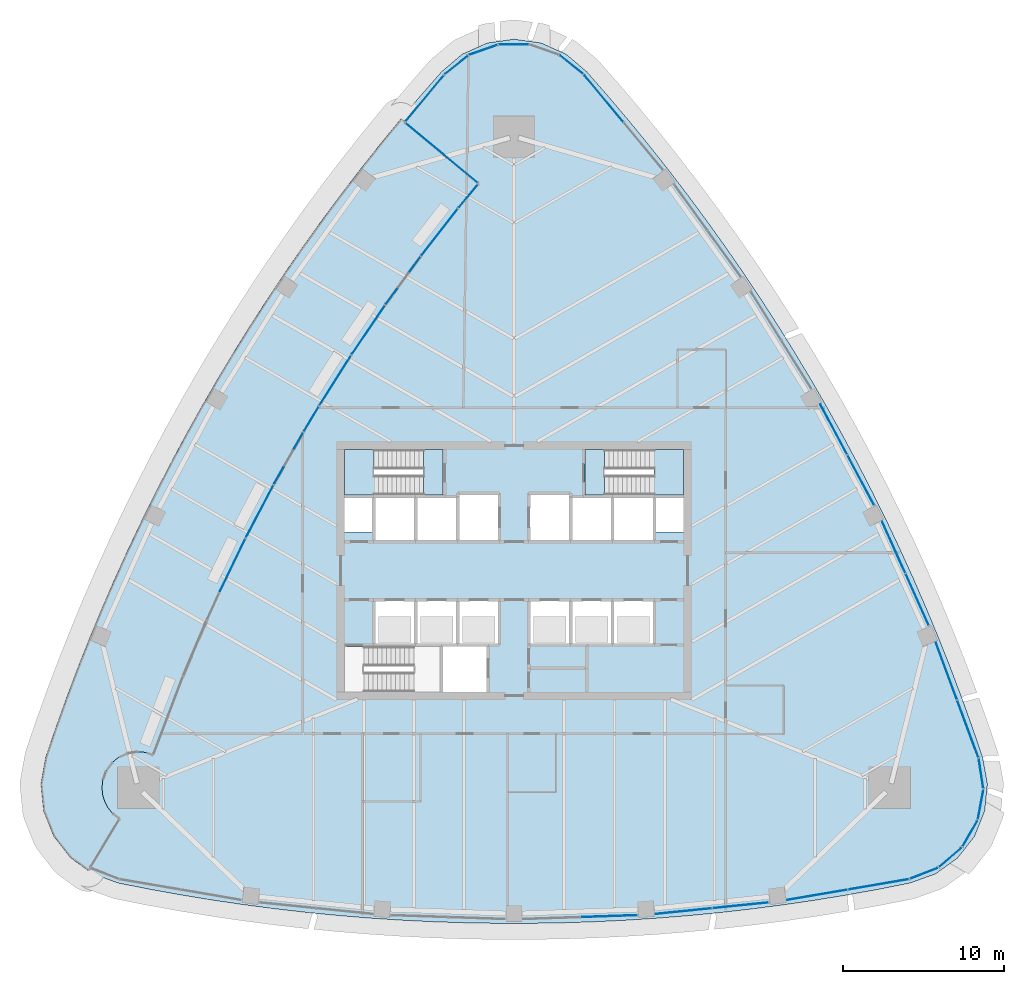
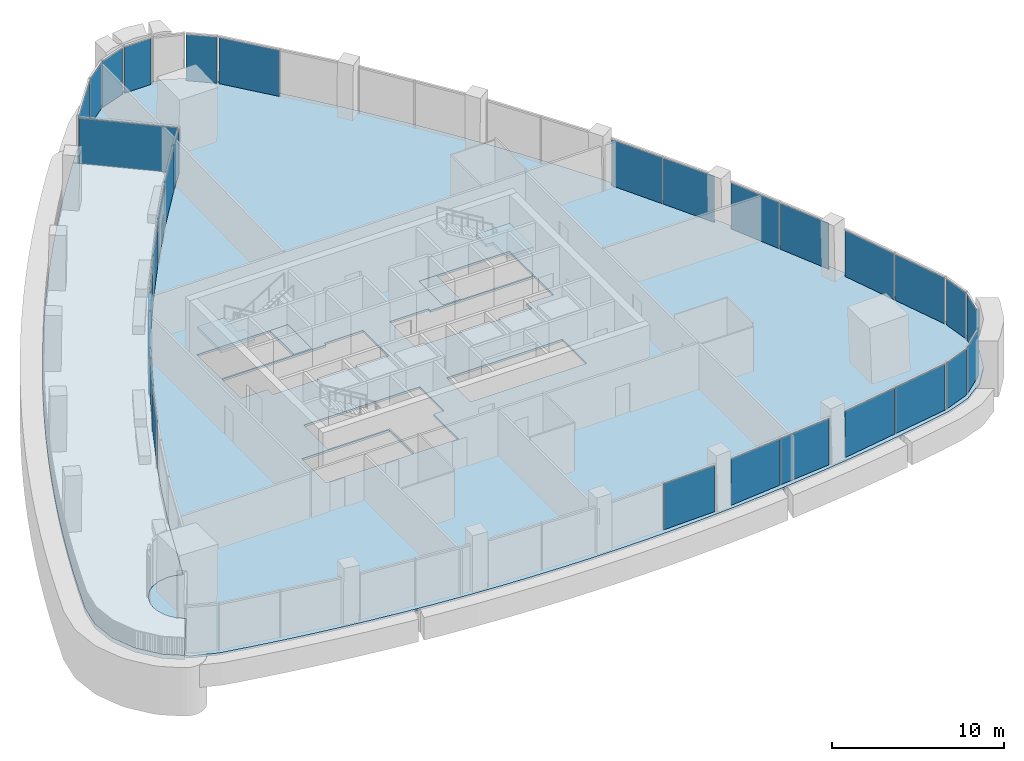
# One storey, part 8 of 18: 32 plates, 6 slabs, 29 elements without a shape of their own.
"""IFC4 building model written with IfcOpenShell, lengths in metres."""

from ifc_helpers import new_model, si_unit, direction, frame, origin, origin_2d, place, context, subcontext, project, spatial, polyline, rectangle, outline, extrude, material, layer, layer_set, type_object, element, aggregate, save


model = new_model("IFC4")

# Units and contexts
model_context = context("Model", 3, precision=1e-05, world=origin(), true_north=direction((0.0, 1.0)))
body_context = subcontext(model_context, "Body", "Model", "MODEL_VIEW")
ifc_project = project(units=[si_unit("LENGTHUNIT", "METRE"), si_unit("AREAUNIT", "SQUARE_METRE"), si_unit("VOLUMEUNIT", "CUBIC_METRE"), si_unit("PLANEANGLEUNIT", "RADIAN"), si_unit("MASSUNIT", "GRAM", prefix="KILO")], contexts=[model_context])

# Site, building, storey
site_placement = place(None, origin())
site = spatial("IfcSite", under=ifc_project, at=site_placement, CompositionType="ELEMENT")
building_placement = place(site_placement, origin())
building = spatial("IfcBuilding", under=site, at=building_placement, Name="Sierra Prisma Convention Tower", CompositionType="ELEMENT")
storey_placement = place(building_placement, frame((0.0, 0.0, 189.800048828125)))
storey = spatial("IfcBuildingStorey", under=building, at=storey_placement, Name="L42", CompositionType="ELEMENT", Elevation=189.800048828125)

# Curtain wall, plate
ifc_material_1 = material(Name="Aluminium and glass curtain wall", Category="aluminium")
ifc_layer_1 = layer(ifc_material_1, 0.179931640625)
ifc_layer_set_1 = layer_set([ifc_layer_1], Name="CW-1 Plain shaft curtain wall")
curtain_wall_type_1 = type_object("IfcCurtainWallType", Name="CW-1 Plain shaft curtain wall", PredefinedType="NOTDEFINED", material=ifc_layer_set_1)
curtain_wall_1_placement = place(storey_placement, origin())
curtain_wall_1 = element("IfcCurtainWall", 1, at=curtain_wall_1_placement, inside=storey, type_object=curtain_wall_type_1, Name="CW-1 S4 L42", PredefinedType="NOTDEFINED")
ifc_material_2 = material(Name="Tinted glass bronze-grey IGU", Category="glass")
ifc_layer_2 = layer(ifc_material_2, 0.028076171875)
ifc_layer_set_2 = layer_set([ifc_layer_2], Name="CW-1 glass panel")
plate_type_1 = type_object("IfcPlateType", Name="CW-1 glass panel", PredefinedType="CURTAIN_PANEL", material=ifc_layer_set_2)
plate_1_placement = place(storey_placement, frame((5.876953125, -21.4052734375, 0.0), z_axis=(0.0, 0.0, 1.0), x_axis=(0.999427178076, 0.033842513539, 0.0)))
plate_1 = element("IfcPlate", 2, at=plate_1_placement, type_object=plate_type_1, Name="CW-1 panel S4.2", PredefinedType="CURTAIN_PANEL", context=body_context, shape_type="SweptSolid", body=[
    extrude(rectangle(XDim=3.49365234375, YDim=0.028076171875, at=origin_2d()), origin(), (0.0, 0.0, 1.0), 3.280029296875),
])
aggregate(curtain_wall_1, [plate_1])

# Curtain wall, plates
curtain_wall_2_placement = place(storey_placement, origin())
curtain_wall_2 = element("IfcCurtainWall", 3, at=curtain_wall_2_placement, inside=storey, type_object=curtain_wall_type_1, Name="CW-1 S5 L42", PredefinedType="NOTDEFINED")
plate_2_placement = place(storey_placement, frame((10.501708984375, -21.09228515625, 0.0), z_axis=(0.0, 0.0, 1.0), x_axis=(0.994848539433, 0.101372499166, 0.0)))
plate_2 = element("IfcPlate", 4, at=plate_2_placement, type_object=plate_type_1, Name="CW-1 panel S5.1", PredefinedType="CURTAIN_PANEL", context=body_context, shape_type="SweptSolid", body=[
    extrude(rectangle(XDim=3.4775390625, YDim=0.028076171875, at=origin_2d()), origin(), (0.0, 0.0, 1.0), 3.280029296875),
])
plate_3_placement = place(storey_placement, frame((14.031005859375, -20.732666015625, 0.0), z_axis=(0.0, 0.0, 1.0), x_axis=(0.994848539433, 0.101372499166, 0.0)))
plate_3 = element("IfcPlate", 5, at=plate_3_placement, type_object=plate_type_1, Name="CW-1 panel S5.2", PredefinedType="CURTAIN_PANEL", context=body_context, shape_type="SweptSolid", body=[
    extrude(rectangle(XDim=3.4775390625, YDim=0.028076171875, at=origin_2d()), origin(), (0.0, 0.0, 1.0), 3.280029296875),
])
aggregate(curtain_wall_2, [plate_2, plate_3])

curtain_wall_3_placement = place(storey_placement, origin())
curtain_wall_3 = element("IfcCurtainWall", 6, at=curtain_wall_3_placement, inside=storey, type_object=curtain_wall_type_1, Name="CW-1 S6 L42", PredefinedType="NOTDEFINED")
plate_4_placement = place(storey_placement, frame((18.7822265625, -20.08251953125, 0.0), z_axis=(0.0, 0.0, 1.0), x_axis=(0.985712238098, 0.168438070707, 0.0)))
plate_4 = element("IfcPlate", 7, at=plate_4_placement, type_object=plate_type_1, Name="CW-1 panel S6.1", PredefinedType="CURTAIN_PANEL", context=body_context, shape_type="SweptSolid", body=[
    extrude(rectangle(XDim=3.749755859375, YDim=0.028076171875, at=origin_2d()), origin(), (0.0, 0.0, 1.0), 3.280029296875),
])
plate_5_placement = place(storey_placement, frame((22.54736328125, -19.43896484375, 0.0), z_axis=(0.0, 0.0, 1.0), x_axis=(0.985712238098, 0.168438070707, 0.0)))
plate_5 = element("IfcPlate", 8, at=plate_5_placement, type_object=plate_type_1, Name="CW-1 panel S6.2", PredefinedType="CURTAIN_PANEL", context=body_context, shape_type="SweptSolid", body=[
    extrude(rectangle(XDim=3.749755859375, YDim=0.028076171875, at=origin_2d()), origin(), (0.0, 0.0, 1.0), 3.280029296875),
])
aggregate(curtain_wall_3, [plate_4, plate_5])

# Curtain wall, plate
curtain_wall_4_placement = place(storey_placement, origin())
curtain_wall_4 = element("IfcCurtainWall", 9, at=curtain_wall_4_placement, inside=storey, type_object=curtain_wall_type_1, Name="CW-1 SE1 L42", PredefinedType="NOTDEFINED")
plate_6_placement = place(storey_placement, frame((25.368896484375, -18.758544921875, 0.0), z_axis=(0.0, 0.0, 1.0), x_axis=(0.931633288496, 0.363399801549, 0.0)))
plate_6 = element("IfcPlate", 10, at=plate_6_placement, type_object=plate_type_1, Name="CW-1 panel SE1.1", PredefinedType="CURTAIN_PANEL", context=body_context, shape_type="SweptSolid", body=[
    extrude(rectangle(XDim=1.8017578125, YDim=0.028076171875, at=origin_2d()), origin(), (0.0, 0.0, 1.0), 3.280029296875),
])
aggregate(curtain_wall_4, [plate_6])

curtain_wall_5_placement = place(storey_placement, origin())
curtain_wall_5 = element("IfcCurtainWall", 11, at=curtain_wall_5_placement, inside=storey, type_object=curtain_wall_type_1, Name="CW-1 SE2 L42", PredefinedType="NOTDEFINED")
plate_7_placement = place(storey_placement, frame((27.010009765625, -17.773193359375, 0.0), z_axis=(0.0, 0.0, 1.0), x_axis=(0.75865116634, 0.651497051268, 0.0)))
plate_7 = element("IfcPlate", 12, at=plate_7_placement, type_object=plate_type_1, Name="CW-1 panel SE2.1", PredefinedType="CURTAIN_PANEL", context=body_context, shape_type="SweptSolid", body=[
    extrude(rectangle(XDim=1.8017578125, YDim=0.028076171875, at=origin_2d()), origin(), (0.0, 0.0, 1.0), 3.280029296875),
])
aggregate(curtain_wall_5, [plate_7])

curtain_wall_6_placement = place(storey_placement, origin())
curtain_wall_6 = element("IfcCurtainWall", 13, at=curtain_wall_6_placement, inside=storey, type_object=curtain_wall_type_1, Name="CW-1 SE3 L42", PredefinedType="NOTDEFINED")
plate_8_placement = place(storey_placement, frame((28.232177734375, -16.2998046875, 0.0), z_axis=(0.0, 0.0, 1.0), x_axis=(0.5, 0.866025403784, 0.0)))
plate_8 = element("IfcPlate", 14, at=plate_8_placement, type_object=plate_type_1, Name="CW-1 panel SE3.1", PredefinedType="CURTAIN_PANEL", context=body_context, shape_type="SweptSolid", body=[
    extrude(rectangle(XDim=1.8017578125, YDim=0.028076171875, at=origin_2d()), origin(), (0.0, 0.0, 1.0), 3.280029296875),
])
aggregate(curtain_wall_6, [plate_8])

curtain_wall_7_placement = place(storey_placement, origin())
curtain_wall_7 = element("IfcCurtainWall", 15, at=curtain_wall_7_placement, inside=storey, type_object=curtain_wall_type_1, Name="CW-1 SE4 L42", PredefinedType="NOTDEFINED")
plate_9_placement = place(storey_placement, frame((28.897216796875, -14.5048828125, 0.0), z_axis=(0.0, 0.0, 1.0), x_axis=(0.184887413719, 0.982759708295, 0.0)))
plate_9 = element("IfcPlate", 16, at=plate_9_placement, type_object=plate_type_1, Name="CW-1 panel SE4.1", PredefinedType="CURTAIN_PANEL", context=body_context, shape_type="SweptSolid", body=[
    extrude(rectangle(XDim=1.8017578125, YDim=0.028076171875, at=origin_2d()), origin(), (0.0, 0.0, 1.0), 3.280029296875),
])
aggregate(curtain_wall_7, [plate_9])

curtain_wall_8_placement = place(storey_placement, origin())
curtain_wall_8 = element("IfcCurtainWall", 17, at=curtain_wall_8_placement, inside=storey, type_object=curtain_wall_type_1, Name="CW-1 SE5 L42", PredefinedType="NOTDEFINED")
plate_10_placement = place(storey_placement, frame((28.929931640625, -12.5908203125, 0.0), z_axis=(0.0, 0.0, 1.0), x_axis=(-0.151103184377, 0.988517995623, 0.0)))
plate_10 = element("IfcPlate", 18, at=plate_10_placement, type_object=plate_type_1, Name="CW-1 panel SE5.1", PredefinedType="CURTAIN_PANEL", context=body_context, shape_type="SweptSolid", body=[
    extrude(rectangle(XDim=1.8017578125, YDim=0.028076171875, at=origin_2d()), origin(), (0.0, 0.0, 1.0), 3.280029296875),
])
aggregate(curtain_wall_8, [plate_10])

# Curtain wall, plates
curtain_wall_9_placement = place(storey_placement, origin())
curtain_wall_9 = element("IfcCurtainWall", 19, at=curtain_wall_9_placement, inside=storey, type_object=curtain_wall_type_1, Name="CW-1 NE1 L42", PredefinedType="NOTDEFINED")
plate_11_placement = place(storey_placement, frame((28.1083984375, -9.80712890625, 0.0), z_axis=(0.0, 0.0, 1.0), x_axis=(-0.346984470852, 0.937870874368, 0.0)))
plate_11 = element("IfcPlate", 20, at=plate_11_placement, type_object=plate_type_1, Name="CW-1 panel NE1.1", PredefinedType="CURTAIN_PANEL", context=body_context, shape_type="SweptSolid", body=[
    extrude(rectangle(XDim=3.749755859375, YDim=0.028076171875, at=origin_2d()), origin(), (0.0, 0.0, 1.0), 3.280029296875),
])
plate_12_placement = place(storey_placement, frame((26.782958984375, -6.224609375, 0.0), z_axis=(0.0, 0.0, 1.0), x_axis=(-0.346984470852, 0.937870874368, 0.0)))
plate_12 = element("IfcPlate", 21, at=plate_12_placement, type_object=plate_type_1, Name="CW-1 panel NE1.2", PredefinedType="CURTAIN_PANEL", context=body_context, shape_type="SweptSolid", body=[
    extrude(rectangle(XDim=3.749755859375, YDim=0.028076171875, at=origin_2d()), origin(), (0.0, 0.0, 1.0), 3.280029296875),
])
aggregate(curtain_wall_9, [plate_11, plate_12])

curtain_wall_10_placement = place(storey_placement, origin())
curtain_wall_10 = element("IfcCurtainWall", 22, at=curtain_wall_10_placement, inside=storey, type_object=curtain_wall_type_1, Name="CW-1 NE2 L42", PredefinedType="NOTDEFINED")
plate_13_placement = place(storey_placement, frame((24.970703125, -1.784912109375, 0.0), z_axis=(0.0, 0.0, 1.0), x_axis=(-0.409633110194, 0.91225035765, 0.0)))
plate_13 = element("IfcPlate", 23, at=plate_13_placement, type_object=plate_type_1, Name="CW-1 panel NE2.1", PredefinedType="CURTAIN_PANEL", context=body_context, shape_type="SweptSolid", body=[
    extrude(rectangle(XDim=3.4775390625, YDim=0.028076171875, at=origin_2d()), origin(), (0.0, 0.0, 1.0), 3.280029296875),
])
plate_14_placement = place(storey_placement, frame((23.517333984375, 1.451416015625, 0.0), z_axis=(0.0, 0.0, 1.0), x_axis=(-0.409633110194, 0.91225035765, 0.0)))
plate_14 = element("IfcPlate", 24, at=plate_14_placement, type_object=plate_type_1, Name="CW-1 panel NE2.2", PredefinedType="CURTAIN_PANEL", context=body_context, shape_type="SweptSolid", body=[
    extrude(rectangle(XDim=3.4775390625, YDim=0.028076171875, at=origin_2d()), origin(), (0.0, 0.0, 1.0), 3.280029296875),
])
aggregate(curtain_wall_10, [plate_13, plate_14])

curtain_wall_11_placement = place(storey_placement, origin())
curtain_wall_11 = element("IfcCurtainWall", 25, at=curtain_wall_11_placement, inside=storey, type_object=curtain_wall_type_1, Name="CW-1 NE3 L42", PredefinedType="NOTDEFINED")
plate_15_placement = place(storey_placement, frame((21.47607421875, 5.613037109375, 0.0), z_axis=(0.0, 0.0, 1.0), x_axis=(-0.470405112585, 0.882450582216, 0.0)))
plate_15 = element("IfcPlate", 26, at=plate_15_placement, type_object=plate_type_1, Name="CW-1 panel NE3.1", PredefinedType="CURTAIN_PANEL", context=body_context, shape_type="SweptSolid", body=[
    extrude(rectangle(XDim=3.49365234375, YDim=0.028076171875, at=origin_2d()), origin(), (0.0, 0.0, 1.0), 3.280029296875),
])
plate_16_placement = place(storey_placement, frame((19.7998046875, 8.757568359375, 0.0), z_axis=(0.0, 0.0, 1.0), x_axis=(-0.470405112585, 0.882450582216, 0.0)))
plate_16 = element("IfcPlate", 27, at=plate_16_placement, type_object=plate_type_1, Name="CW-1 panel NE3.2", PredefinedType="CURTAIN_PANEL", context=body_context, shape_type="SweptSolid", body=[
    extrude(rectangle(XDim=3.49365234375, YDim=0.028076171875, at=origin_2d()), origin(), (0.0, 0.0, 1.0), 3.280029296875),
])
aggregate(curtain_wall_11, [plate_15, plate_16])

# Curtain wall, plate
curtain_wall_12_placement = place(storey_placement, origin())
curtain_wall_12 = element("IfcCurtainWall", 28, at=curtain_wall_12_placement, inside=storey, type_object=curtain_wall_type_1, Name="CW-1 NE6 L42", PredefinedType="NOTDEFINED")
plate_17_placement = place(storey_placement, frame((5.56103515625, 29.24609375, 0.0), z_axis=(0.0, 0.0, 1.0), x_axis=(-0.638727767246, 0.769432803661, 0.0)))
plate_17 = element("IfcPlate", 29, at=plate_17_placement, type_object=plate_type_1, Name="CW-1 panel NE6.2", PredefinedType="CURTAIN_PANEL", context=body_context, shape_type="SweptSolid", body=[
    extrude(rectangle(XDim=3.749755859375, YDim=0.028076171875, at=origin_2d()), origin(), (0.0, 0.0, 1.0), 3.280029296875),
])
aggregate(curtain_wall_12, [plate_17])

curtain_wall_13_placement = place(storey_placement, origin())
curtain_wall_13 = element("IfcCurtainWall", 30, at=curtain_wall_13_placement, inside=storey, type_object=curtain_wall_type_1, Name="CW-1 N1 L42", PredefinedType="NOTDEFINED")
plate_18_placement = place(storey_placement, frame((3.56103515625, 31.349365234375, 0.0), z_axis=(0.0, 0.0, 1.0), x_axis=(-0.780530104119, 0.625118194075, 0.0)))
plate_18 = element("IfcPlate", 31, at=plate_18_placement, type_object=plate_type_1, Name="CW-1 panel N1.1", PredefinedType="CURTAIN_PANEL", context=body_context, shape_type="SweptSolid", body=[
    extrude(rectangle(XDim=1.8017578125, YDim=0.028076171875, at=origin_2d()), origin(), (0.0, 0.0, 1.0), 3.280029296875),
])
aggregate(curtain_wall_13, [plate_18])

curtain_wall_14_placement = place(storey_placement, origin())
curtain_wall_14 = element("IfcCurtainWall", 32, at=curtain_wall_14_placement, inside=storey, type_object=curtain_wall_type_1, Name="CW-1 N3 L42", PredefinedType="NOTDEFINED")
plate_19_placement = place(storey_placement, frame((0.0, 32.599609375, 0.0), z_axis=(0.0, 0.0, 1.0), x_axis=(-1.0, 0.0, 0.0)))
plate_19 = element("IfcPlate", 33, at=plate_19_placement, type_object=plate_type_1, Name="CW-1 panel N3.1", PredefinedType="CURTAIN_PANEL", context=body_context, shape_type="SweptSolid", body=[
    extrude(rectangle(XDim=1.8017578125, YDim=0.028076171875, at=origin_2d()), origin(), (0.0, 0.0, 1.0), 3.280029296875),
])
aggregate(curtain_wall_14, [plate_19])

curtain_wall_15_placement = place(storey_placement, origin())
curtain_wall_15 = element("IfcCurtainWall", 34, at=curtain_wall_15_placement, inside=storey, type_object=curtain_wall_type_1, Name="CW-1 N4 L42", PredefinedType="NOTDEFINED")
plate_20_placement = place(storey_placement, frame((-1.886962890625, 32.278076171875, 0.0), z_axis=(0.0, 0.0, 1.0), x_axis=(-0.943538580059, -0.331262657027, 0.0)))
plate_20 = element("IfcPlate", 35, at=plate_20_placement, type_object=plate_type_1, Name="CW-1 panel N4.1", PredefinedType="CURTAIN_PANEL", context=body_context, shape_type="SweptSolid", body=[
    extrude(rectangle(XDim=1.8017578125, YDim=0.028076171875, at=origin_2d()), origin(), (0.0, 0.0, 1.0), 3.280029296875),
])
aggregate(curtain_wall_15, [plate_20])

curtain_wall_16_placement = place(storey_placement, origin())
curtain_wall_16 = element("IfcCurtainWall", 36, at=curtain_wall_16_placement, inside=storey, type_object=curtain_wall_type_1, Name="CW-1 N5 L42", PredefinedType="NOTDEFINED")
plate_21_placement = place(storey_placement, frame((-3.56103515625, 31.349365234375, 0.0), z_axis=(0.0, 0.0, 1.0), x_axis=(-0.780530104119, -0.625118194075, 0.0)))
plate_21 = element("IfcPlate", 37, at=plate_21_placement, type_object=plate_type_1, Name="CW-1 panel N5.1", PredefinedType="CURTAIN_PANEL", context=body_context, shape_type="SweptSolid", body=[
    extrude(rectangle(XDim=1.8017578125, YDim=0.028076171875, at=origin_2d()), origin(), (0.0, 0.0, 1.0), 3.280029296875),
])
aggregate(curtain_wall_16, [plate_21])

curtain_wall_17_placement = place(storey_placement, origin())
curtain_wall_17 = element("IfcCurtainWall", 38, at=curtain_wall_17_placement, inside=storey, type_object=curtain_wall_type_1, Name="CW-1 NW1 L42", PredefinedType="NOTDEFINED")
plate_22_placement = place(storey_placement, frame((-5.5498046875, 29.259521484375, 0.0), z_axis=(0.0, 0.0, 1.0), x_axis=(-0.638727767246, -0.769432803661, 0.0)))
plate_22 = element("IfcPlate", 39, at=plate_22_placement, type_object=plate_type_1, Name="CW-1 panel NW1.1", PredefinedType="CURTAIN_PANEL", context=body_context, shape_type="SweptSolid", body=[
    extrude(rectangle(XDim=3.71484375, YDim=0.028076171875, at=origin_2d()), origin(), (0.0, 0.0, 1.0), 3.280029296875),
])
aggregate(curtain_wall_17, [plate_22])

ifc_material_3 = material(Name="Aluminium and glass curtain wall", Category="aluminium")
ifc_layer_3 = layer(ifc_material_3, 0.179931640625)
ifc_layer_set_3 = layer_set([ifc_layer_3], Name="CW-6 Terrace recess curtain wall")
curtain_wall_type_2 = type_object("IfcCurtainWallType", Name="CW-6 Terrace recess curtain wall", PredefinedType="NOTDEFINED", material=ifc_layer_set_3)
curtain_wall_18_placement = place(storey_placement, origin())
curtain_wall_18 = element("IfcCurtainWall", 40, at=curtain_wall_18_placement, inside=storey, type_object=curtain_wall_type_2, Name="CW-6 R1 L42", PredefinedType="NOTDEFINED")
ifc_material_4 = material(Name="Tinted glass bronze-grey IGU", Category="glass")
ifc_layer_4 = layer(ifc_material_4, 0.028076171875)
ifc_layer_set_4 = layer_set([ifc_layer_4], Name="CW-6 glass panel")
plate_type_2 = type_object("IfcPlateType", Name="CW-6 glass panel", PredefinedType="CURTAIN_PANEL", material=ifc_layer_set_4)
plate_23_placement = place(storey_placement, frame((-2.835693359375, 23.22314453125, 0.0), z_axis=(0.0, 0.0, 1.0), x_axis=(-0.639125723991, -0.76910227469, 0.0)))
plate_23 = element("IfcPlate", 41, at=plate_23_placement, type_object=plate_type_2, Name="CW-6 panel R1.1", PredefinedType="CURTAIN_PANEL", context=body_context, shape_type="SweptSolid", body=[
    extrude(rectangle(XDim=1.826904296875, YDim=0.028076171875, at=origin_2d()), origin(), (0.0, 0.0, 1.0), 3.219970703125),
])
aggregate(curtain_wall_18, [plate_23])

curtain_wall_19_placement = place(storey_placement, origin())
curtain_wall_19 = element("IfcCurtainWall", 42, at=curtain_wall_19_placement, inside=storey, type_object=curtain_wall_type_2, Name="CW-6 R2 L42", PredefinedType="NOTDEFINED")
plate_24_placement = place(storey_placement, frame((-4.615234375, 20.989013671875, 0.0), z_axis=(0.0, 0.0, 1.0), x_axis=(-0.61446100459, -0.788947193314, 0.0)))
plate_24 = element("IfcPlate", 43, at=plate_24_placement, type_object=plate_type_2, Name="CW-6 panel R2.1", PredefinedType="CURTAIN_PANEL", context=body_context, shape_type="SweptSolid", body=[
    extrude(rectangle(XDim=3.606201171875, YDim=0.028076171875, at=origin_2d()), origin(), (0.0, 0.0, 1.0), 3.219970703125),
])
aggregate(curtain_wall_19, [plate_24])

curtain_wall_20_placement = place(storey_placement, origin())
curtain_wall_20 = element("IfcCurtainWall", 44, at=curtain_wall_20_placement, inside=storey, type_object=curtain_wall_type_2, Name="CW-6 R3 L42", PredefinedType="NOTDEFINED")
plate_25_placement = place(storey_placement, frame((-6.868408203125, 17.996826171875, 0.0), z_axis=(0.0, 0.0, 1.0), x_axis=(-0.588504278807, -0.80849410253, 0.0)))
plate_25 = element("IfcPlate", 45, at=plate_25_placement, type_object=plate_type_2, Name="CW-6 panel R3.1", PredefinedType="CURTAIN_PANEL", context=body_context, shape_type="SweptSolid", body=[
    extrude(rectangle(XDim=3.606201171875, YDim=0.028076171875, at=origin_2d()), origin(), (0.0, 0.0, 1.0), 3.219970703125),
])
aggregate(curtain_wall_20, [plate_25])

curtain_wall_21_placement = place(storey_placement, origin())
curtain_wall_21 = element("IfcCurtainWall", 46, at=curtain_wall_21_placement, inside=storey, type_object=curtain_wall_type_2, Name="CW-6 R4 L42", PredefinedType="NOTDEFINED")
plate_26_placement = place(storey_placement, frame((-9.023193359375, 14.93310546875, 0.0), z_axis=(0.0, 0.0, 1.0), x_axis=(-0.561926190624, -0.827187376772, 0.0)))
plate_26 = element("IfcPlate", 47, at=plate_26_placement, type_object=plate_type_2, Name="CW-6 panel R4.1", PredefinedType="CURTAIN_PANEL", context=body_context, shape_type="SweptSolid", body=[
    extrude(rectangle(XDim=3.606201171875, YDim=0.028076171875, at=origin_2d()), origin(), (0.0, 0.0, 1.0), 3.219970703125),
])
aggregate(curtain_wall_21, [plate_26])

curtain_wall_22_placement = place(storey_placement, origin())
curtain_wall_22 = element("IfcCurtainWall", 48, at=curtain_wall_22_placement, inside=storey, type_object=curtain_wall_type_2, Name="CW-6 R5 L42", PredefinedType="NOTDEFINED")
plate_27_placement = place(storey_placement, frame((-11.077392578125, 11.80078125, 0.0), z_axis=(0.0, 0.0, 1.0), x_axis=(-0.534754802072, -0.845007279058, 0.0)))
plate_27 = element("IfcPlate", 49, at=plate_27_placement, type_object=plate_type_2, Name="CW-6 panel R5.1", PredefinedType="CURTAIN_PANEL", context=body_context, shape_type="SweptSolid", body=[
    extrude(rectangle(XDim=3.606201171875, YDim=0.028076171875, at=origin_2d()), origin(), (0.0, 0.0, 1.0), 3.219970703125),
])
aggregate(curtain_wall_22, [plate_27])

curtain_wall_23_placement = place(storey_placement, origin())
curtain_wall_23 = element("IfcCurtainWall", 50, at=curtain_wall_23_placement, inside=storey, type_object=curtain_wall_type_2, Name="CW-6 R6 L42", PredefinedType="NOTDEFINED")
plate_28_placement = place(storey_placement, frame((-12.560546875, 9.41455078125, 0.0), z_axis=(0.0, 0.0, 1.0), x_axis=(-0.514004142481, -0.857787701889, 0.0)))
plate_28 = element("IfcPlate", 51, at=plate_28_placement, type_object=plate_type_2, Name="CW-6 panel R6.1", PredefinedType="CURTAIN_PANEL", context=body_context, shape_type="SweptSolid", body=[
    extrude(rectangle(XDim=1.733154296875, YDim=0.028076171875, at=origin_2d()), origin(), (0.0, 0.0, 1.0), 3.219970703125),
])
aggregate(curtain_wall_23, [plate_28])

curtain_wall_24_placement = place(storey_placement, origin())
curtain_wall_24 = element("IfcCurtainWall", 52, at=curtain_wall_24_placement, inside=storey, type_object=curtain_wall_type_2, Name="CW-6 R7 L42", PredefinedType="NOTDEFINED")
plate_29_placement = place(storey_placement, frame((-13.96533203125, 6.9814453125, 0.0), z_axis=(0.0, 0.0, 1.0), x_axis=(-0.492948200881, -0.870058659659, 0.0)))
plate_29 = element("IfcPlate", 53, at=plate_29_placement, type_object=plate_type_2, Name="CW-6 panel R7.1", PredefinedType="CURTAIN_PANEL", context=body_context, shape_type="SweptSolid", body=[
    extrude(rectangle(XDim=3.606201171875, YDim=0.028076171875, at=origin_2d()), origin(), (0.0, 0.0, 1.0), 3.219970703125),
])
aggregate(curtain_wall_24, [plate_29])

curtain_wall_25_placement = place(storey_placement, origin())
curtain_wall_25 = element("IfcCurtainWall", 54, at=curtain_wall_25_placement, inside=storey, type_object=curtain_wall_type_2, Name="CW-6 R8 L42", PredefinedType="NOTDEFINED")
plate_30_placement = place(storey_placement, frame((-15.758544921875, 3.69287109375, 0.0), z_axis=(0.0, 0.0, 1.0), x_axis=(-0.464420369011, -0.885614882919, 0.0)))
plate_30 = element("IfcPlate", 55, at=plate_30_placement, type_object=plate_type_2, Name="CW-6 panel R8.1", PredefinedType="CURTAIN_PANEL", context=body_context, shape_type="SweptSolid", body=[
    extrude(rectangle(XDim=3.606201171875, YDim=0.028076171875, at=origin_2d()), origin(), (0.0, 0.0, 1.0), 3.219970703125),
])
aggregate(curtain_wall_25, [plate_30])

curtain_wall_26_placement = place(storey_placement, origin())
curtain_wall_26 = element("IfcCurtainWall", 56, at=curtain_wall_26_placement, inside=storey, type_object=curtain_wall_type_2, Name="CW-6 R9 L42", PredefinedType="NOTDEFINED")
plate_31_placement = place(storey_placement, frame((-17.444091796875, 0.347900390625, 0.0), z_axis=(0.0, 0.0, 1.0), x_axis=(-0.435402186663, -0.900236044518, 0.0)))
plate_31 = element("IfcPlate", 57, at=plate_31_placement, type_object=plate_type_2, Name="CW-6 panel R9.1", PredefinedType="CURTAIN_PANEL", context=body_context, shape_type="SweptSolid", body=[
    extrude(rectangle(XDim=3.606201171875, YDim=0.028076171875, at=origin_2d()), origin(), (0.0, 0.0, 1.0), 3.219970703125),
])
aggregate(curtain_wall_26, [plate_31])

curtain_wall_27_placement = place(storey_placement, origin())
curtain_wall_27 = element("IfcCurtainWall", 58, at=curtain_wall_27_placement, inside=storey, type_object=curtain_wall_type_2, Name="CW-6 RT1 L42", PredefinedType="NOTDEFINED")
plate_32_placement = place(storey_placement, frame((-4.493896484375, 25.878173828125, 0.0), z_axis=(0.0, 0.0, 1.0), x_axis=(0.769432803661, -0.638727767246, 0.0)))
plate_32 = element("IfcPlate", 59, at=plate_32_placement, type_object=plate_type_2, Name="CW-6 panel RT1.1", PredefinedType="CURTAIN_PANEL", context=body_context, shape_type="SweptSolid", body=[
    extrude(rectangle(XDim=5.804443359375, YDim=0.028076171875, at=origin_2d()), origin(), (0.0, 0.0, 1.0), 3.219970703125),
])
aggregate(curtain_wall_27, [plate_32])

# Slab
ifc_material_5 = material(Name="Concrete C35/45", Category="concrete")
ifc_layer_5 = layer(ifc_material_5, 0.14990234375)
ifc_layer_set_5 = layer_set([ifc_layer_5], Name="Composite floor slab 150")
slab_type_1 = type_object("IfcSlabType", Name="Composite floor slab 150", PredefinedType="FLOOR", material=ifc_layer_set_5)
slab_1_placement = place(storey_placement, frame((0.0, 0.0, -0.150146484375)))
element("IfcSlab", 60, at=slab_1_placement, inside=storey, type_object=slab_type_1, Name="Floor slab L42 floor", PredefinedType="FLOOR", context=body_context, shape_type="SweptSolid", body=[
    extrude(outline(polyline([(-5.8056640625, 29.422119140625), (-7.024169921875, 27.982421875), (-2.20703125, 23.9794921875), (-3.464111328125, 22.466796875), (-5.76611328125, 19.51123046875), (-7.970703125, 16.482421875), (-10.075927734375, 13.383544921875), (-12.0791015625, 10.218017578125), (-13.0419921875, 8.611328125), (-14.888671875, 5.351806640625), (-16.62841796875, 2.0341796875), (-18.259521484375, -1.33837890625), (-19.03369140625, -3.0439453125), (-20.49853515625, -6.491943359375), (-22.365966796875, -11.419677734375), (-22.862060546875, -11.256103515625), (-23.298828125, -11.213134765625), (-23.94873046875, -11.3095703125), (-24.54248046875, -11.59033203125), (-24.8818359375, -11.868896484375), (-25.27294921875, -12.396484375), (-25.494384765625, -13.014892578125), (-25.537353515625, -13.45166015625), (-25.494384765625, -13.888427734375), (-25.366943359375, -14.308349609375), (-25.16015625, -14.6953125), (-24.8818359375, -15.034423828125), (-24.447021484375, -15.36376953125), (-26.39697265625, -18.576904296875), (-26.106689453125, -18.786376953125), (-24.514892578125, -19.356201171875), (-22.57763671875, -19.73876953125), (-20.63427734375, -20.08984375), (-18.685546875, -20.409423828125), (-16.73193359375, -20.697021484375), (-14.77392578125, -20.953125), (-12.81201171875, -21.17724609375), (-10.8466796875, -21.369384765625), (-8.87841796875, -21.529541015625), (-6.907958984375, -21.65771484375), (-4.935546875, -21.754150390625), (-2.9619140625, -21.818115234375), (-0.9873046875, -21.850341796875), (0.9873046875, -21.850341796875), (2.9619140625, -21.818115234375), (4.935546875, -21.754150390625), (6.907958984375, -21.65771484375), (8.87841796875, -21.529541015625), (10.8466796875, -21.369384765625), (12.81201171875, -21.17724609375), (14.77392578125, -20.953125), (16.73193359375, -20.697021484375), (18.685546875, -20.409423828125), (20.63427734375, -20.08984375), (22.57763671875, -19.73876953125), (24.514892578125, -19.356201171875), (26.106689453125, -18.786376953125), (27.4775390625, -17.797119140625), (28.519775390625, -16.4658203125), (29.1513671875, -14.897705078125), (29.32275390625, -13.2158203125), (29.0205078125, -11.55224609375), (28.383056640625, -9.683349609375), (27.715576171875, -7.824951171875), (27.017822265625, -5.9775390625), (26.290283203125, -4.141845703125), (25.53271484375, -2.318115234375), (24.745849609375, -0.5068359375), (23.9296875, 1.291259765625), (23.08447265625, 3.075927734375), (22.210205078125, 4.846435546875), (21.307373046875, 6.602783203125), (20.3759765625, 8.343994140625), (19.41650390625, 10.070068359375), (18.42919921875, 11.7802734375), (17.414306640625, 13.47412109375), (16.371826171875, 15.1513671875), (15.30224609375, 16.811279296875), (14.2060546875, 18.45361328125), (13.0830078125, 20.078125), (11.93408203125, 21.68408203125), (10.7587890625, 23.27099609375), (9.55810546875, 24.8388671875), (8.332275390625, 26.386962890625), (7.081298828125, 27.914794921875), (5.8056640625, 29.422119140625), (4.505615234375, 30.90869140625), (3.21630859375, 32.002197265625), (1.674072265625, 32.69482421875), (0.0, 32.931884765625), (-1.674072265625, 32.69482421875), (-3.21630859375, 32.002197265625), (-4.505615234375, 30.90869140625), (-5.8056640625, 29.422119140625)]), holes=[polyline([(-4.60009765625, -7.5), (-10.5, -7.5), (-10.5, -4.699951171875), (-4.60009765625, -4.699951171875), (-4.60009765625, -7.5)]), polyline([(-8.699951171875, -4.60009765625), (-8.699951171875, -1.800048828125), (-6.10009765625, -1.800048828125), (-3.5, -1.800048828125), (-0.89990234375, -1.800048828125), (-0.89990234375, -4.60009765625), (-1.60009765625, -4.60009765625), (-1.60009765625, -7.5), (-4.5, -7.5), (-4.5, -4.60009765625), (-6.10009765625, -4.60009765625), (-8.699951171875, -4.60009765625)]), polyline([(-10.5, 4.60009765625), (-8.699951171875, 4.60009765625), (-6.10009765625, 4.60009765625), (-3.5, 4.60009765625), (-3.5, 4.800048828125), (-0.89990234375, 4.800048828125), (-0.89990234375, 1.800048828125), (-3.5, 1.800048828125), (-6.10009765625, 1.800048828125), (-8.699951171875, 1.800048828125), (-8.699951171875, 2.39990234375), (-10.5, 2.39990234375), (-10.5, 4.60009765625)]), polyline([(-10.5, 4.699951171875), (-10.5, 7.5), (-4.39990234375, 7.5), (-4.39990234375, 4.699951171875), (-10.5, 4.699951171875)]), polyline([(6.10009765625, -1.800048828125), (8.699951171875, -1.800048828125), (8.699951171875, -4.60009765625), (6.10009765625, -4.60009765625), (3.5, -4.60009765625), (0.89990234375, -4.60009765625), (0.89990234375, -1.800048828125), (3.5, -1.800048828125), (6.10009765625, -1.800048828125)]), polyline([(8.699951171875, 4.60009765625), (10.5, 4.60009765625), (10.5, 2.39990234375), (8.699951171875, 2.39990234375), (8.699951171875, 1.800048828125), (6.10009765625, 1.800048828125), (3.5, 1.800048828125), (0.89990234375, 1.800048828125), (0.89990234375, 4.800048828125), (3.5, 4.800048828125), (3.5, 4.60009765625), (6.10009765625, 4.60009765625), (8.699951171875, 4.60009765625)]), polyline([(4.39990234375, 4.699951171875), (4.39990234375, 7.5), (10.5, 7.5), (10.5, 4.699951171875), (4.39990234375, 4.699951171875)])]), origin(), (0.0, 0.0, 1.0), 0.150146484375),
])

# Stair, slab
ifc_material_6 = material(Name="Concrete C30/37", Category="concrete")
stair_type = type_object("IfcStairType", Name="Stair dog-leg 1200 RC", PredefinedType="HALF_TURN_STAIR", material=ifc_material_6)
stair_1_placement = place(storey_placement, origin())
stair_1 = element("IfcStair", 61, at=stair_1_placement, inside=storey, type_object=stair_type, Name="L42 S3", PredefinedType="HALF_TURN_STAIR")
ifc_material_7 = material(Name="Concrete C35/45", Category="concrete")
ifc_layer_6 = layer(ifc_material_7, 0.199951171875)
ifc_layer_set_6 = layer_set([ifc_layer_6], Name="Stair landing slab")
slab_type_2 = type_object("IfcSlabType", Name="Stair landing slab", PredefinedType="LANDING", material=ifc_layer_set_6)
slab_2_placement = place(storey_placement, frame((0.0, 0.0, 1.800048828125)))
slab_2 = element("IfcSlab", 62, at=slab_2_placement, type_object=slab_type_2, Name="S3 landing 1", PredefinedType="LANDING", context=body_context, shape_type="SweptSolid", body=[
    extrude(outline(polyline([(-8.22998046875, 5.89990234375), (-8.22998046875, 4.699951171875), (-10.5, 4.699951171875), (-10.5, 7.5), (-8.677978515625, 7.5), (-8.677978515625, 5.89990234375), (-8.22998046875, 5.89990234375)])), origin(), (0.0, 0.0, 1.0), 0.199951171875),
])
aggregate(stair_1, [slab_2])

# Slab
slab_3_placement = place(storey_placement, frame((0.0, 0.0, -0.199951171875)))
element("IfcSlab", 63, at=slab_3_placement, inside=storey, type_object=slab_type_2, Name="S3 floor landing L42", PredefinedType="LANDING", context=body_context, shape_type="SweptSolid", body=[
    extrude(outline(polyline([(-4.39990234375, 7.5), (-5.60205078125, 7.5), (-5.60205078125, 4.699951171875), (-4.39990234375, 4.699951171875), (-4.39990234375, 7.5)])), origin(), (0.0, 0.0, 1.0), 0.199951171875),
])

# Stair, slab
stair_2_placement = place(storey_placement, origin())
stair_2 = element("IfcStair", 64, at=stair_2_placement, inside=storey, type_object=stair_type, Name="L42 S4", PredefinedType="HALF_TURN_STAIR")
slab_4_placement = place(storey_placement, frame((0.0, 0.0, 1.800048828125)))
slab_4 = element("IfcSlab", 65, at=slab_4_placement, type_object=slab_type_2, Name="S4 landing 1", PredefinedType="LANDING", context=body_context, shape_type="SweptSolid", body=[
    extrude(outline(polyline([(10.5, 7.5), (10.5, 4.699951171875), (8.677978515625, 4.699951171875), (8.677978515625, 6.300048828125), (8.22998046875, 6.300048828125), (8.22998046875, 7.5), (10.5, 7.5)])), origin(), (0.0, 0.0, 1.0), 0.199951171875),
])
aggregate(stair_2, [slab_4])

# Slabs
slab_5_placement = place(storey_placement, frame((0.0, 0.0, -0.199951171875)))
element("IfcSlab", 66, at=slab_5_placement, inside=storey, type_object=slab_type_2, Name="S4 floor landing L42", PredefinedType="LANDING", context=body_context, shape_type="SweptSolid", body=[
    extrude(outline(polyline([(4.39990234375, 4.699951171875), (5.60205078125, 4.699951171875), (5.60205078125, 7.5), (4.39990234375, 7.5), (4.39990234375, 4.699951171875)])), origin(), (0.0, 0.0, 1.0), 0.199951171875),
])
ifc_material_8 = material(Name="Concrete C50/60", Category="concrete")
ifc_layer_7 = layer(ifc_material_8, 0.300048828125)
ifc_layer_set_7 = layer_set([ifc_layer_7], Name="Terrace slab")
slab_type_3 = type_object("IfcSlabType", Name="Terrace slab", PredefinedType="FLOOR", material=ifc_layer_set_7)
slab_6_placement = place(storey_placement, frame((0.0, 0.0, -0.300048828125)))
element("IfcSlab", 67, at=slab_6_placement, inside=storey, type_object=slab_type_3, Name="Terrace slab L42", PredefinedType="FLOOR", context=body_context, shape_type="SweptSolid", body=[
    extrude(outline(polyline([(-7.024169921875, 27.982421875), (-7.081298828125, 27.914794921875), (-8.332275390625, 26.386962890625), (-9.55810546875, 24.8388671875), (-10.7587890625, 23.27099609375), (-11.93408203125, 21.68408203125), (-13.0830078125, 20.078125), (-14.2060546875, 18.45361328125), (-15.30224609375, 16.811279296875), (-16.371826171875, 15.1513671875), (-17.414306640625, 13.47412109375), (-18.42919921875, 11.7802734375), (-19.41650390625, 10.070068359375), (-20.3759765625, 8.343994140625), (-21.307373046875, 6.602783203125), (-22.210205078125, 4.846435546875), (-23.08447265625, 3.075927734375), (-23.9296875, 1.291259765625), (-24.745849609375, -0.5068359375), (-25.53271484375, -2.318115234375), (-26.290283203125, -4.141845703125), (-27.017822265625, -5.9775390625), (-27.715576171875, -7.824951171875), (-28.383056640625, -9.683349609375), (-29.0205078125, -11.55224609375), (-29.32275390625, -13.2158203125), (-29.1513671875, -14.897705078125), (-28.519775390625, -16.4658203125), (-27.4775390625, -17.797119140625), (-26.39697265625, -18.576904296875), (-24.447021484375, -15.36376953125), (-24.8818359375, -15.034423828125), (-25.16015625, -14.6953125), (-25.366943359375, -14.308349609375), (-25.494384765625, -13.888427734375), (-25.537353515625, -13.45166015625), (-25.494384765625, -13.014892578125), (-25.27294921875, -12.396484375), (-24.8818359375, -11.868896484375), (-24.54248046875, -11.59033203125), (-23.94873046875, -11.3095703125), (-23.298828125, -11.213134765625), (-22.862060546875, -11.256103515625), (-22.365966796875, -11.419677734375), (-20.49853515625, -6.491943359375), (-19.03369140625, -3.0439453125), (-18.259521484375, -1.33837890625), (-16.62841796875, 2.0341796875), (-14.888671875, 5.351806640625), (-13.0419921875, 8.611328125), (-12.0791015625, 10.218017578125), (-10.075927734375, 13.383544921875), (-7.970703125, 16.482421875), (-5.76611328125, 19.51123046875), (-3.464111328125, 22.466796875), (-2.20703125, 23.9794921875), (-7.024169921875, 27.982421875)])), origin(), (0.0, 0.0, 1.0), 0.300048828125),
])

save(model, "model.ifc")
